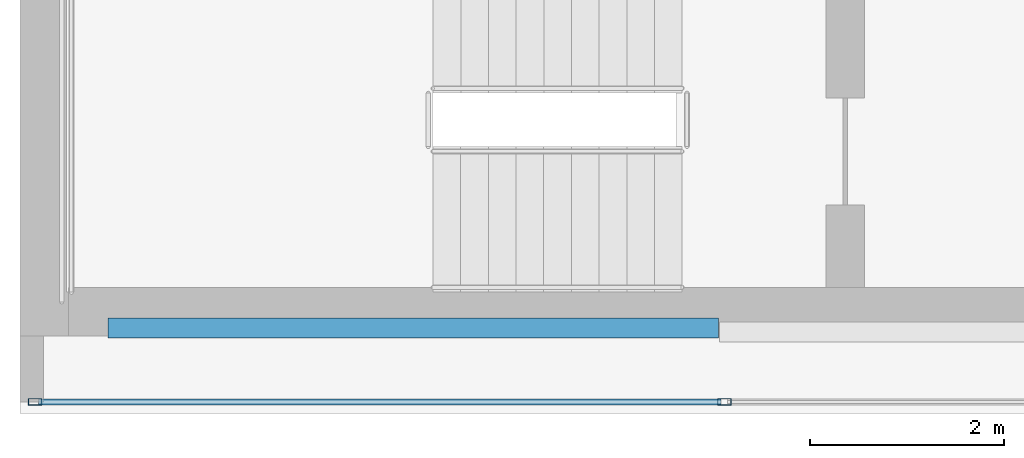
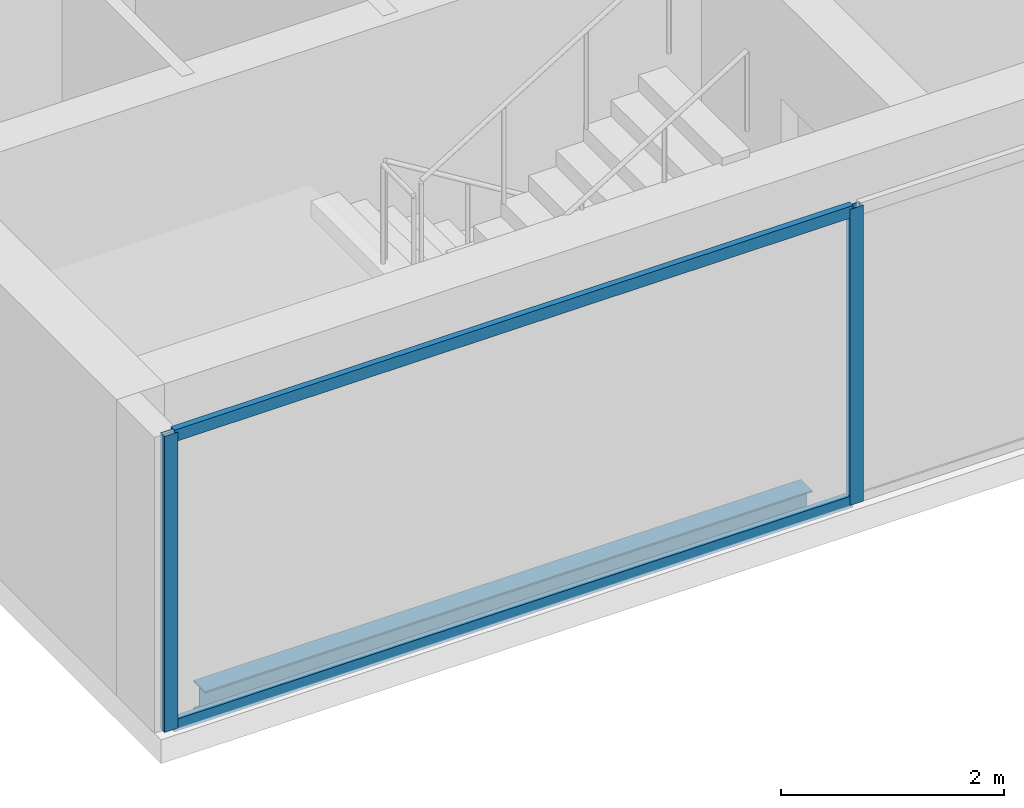
# One storey, part 2 of 23: 4 members, 1 beam, 1 element without a shape of its own.
"""IFC4 building model written with IfcOpenShell, lengths in metres."""

from ifc_helpers import new_model, si_unit, direction, frame, origin, origin_2d, place, context, subcontext, project, spatial, hollow_rectangle, i_section, extrude, material, material_profile, profile_set, type_object, element, aggregate, save


model = new_model("IFC4")

# Units and contexts
model_context = context("Model", 3, precision=1e-05, world=origin(), true_north=direction((0.0, 1.0)))
body_context = subcontext(model_context, "Body", "Model", "MODEL_VIEW")
ifc_project = project(units=[si_unit("LENGTHUNIT", "METRE"), si_unit("AREAUNIT", "SQUARE_METRE"), si_unit("VOLUMEUNIT", "CUBIC_METRE"), si_unit("PLANEANGLEUNIT", "RADIAN"), si_unit("MASSUNIT", "GRAM", prefix="KILO")], contexts=[model_context])

# Site, building, storey
site_placement = place(None, origin())
site = spatial("IfcSite", under=ifc_project, at=site_placement, CompositionType="ELEMENT")
building_placement = place(site_placement, origin())
building = spatial("IfcBuilding", under=site, at=building_placement, Name="Cobrela Telecom Tower", CompositionType="ELEMENT")
storey_placement = place(building_placement, frame((0.0, 0.0, 258.64990234375)))
storey = spatial("IfcBuildingStorey", under=building, at=storey_placement, Name="L67", CompositionType="ELEMENT", Elevation=258.64990234375)

# Beam
ifc_material_1 = material(Name="Steel ASTM A992 Grade 50", Category="steel")
ifc_material_profile_1 = material_profile(ifc_material_1, i_section(OverallWidth=0.205078125, OverallDepth=0.31005859375, WebThickness=0.009521484375, FlangeThickness=0.016357421875, FilletRadius=0.010986328125, at=origin_2d()), Name="W12X50")
ifc_profile_set_1 = profile_set([ifc_material_profile_1], Name="Steel ASTM A992 Grade 50")
beam_type = type_object("IfcBeamType", Name="BM-SPAND-07", PredefinedType="SPANDREL", material=ifc_profile_set_1)
beam_placement = place(storey_placement, frame((0.905029296875, 7.280029296875, -0.414794921875), z_axis=(1.0, 0.0, 0.0), x_axis=(0.0, 1.0, 0.0)))
element("IfcBeam", 1, at=beam_placement, inside=storey, type_object=beam_type, Name="L67 Perimeter Spandrel X01", PredefinedType="SPANDREL", context=body_context, shape_type="SweptSolid", body=[
    extrude(i_section(OverallWidth=0.205078125, OverallDepth=0.31005859375, WebThickness=0.009521484375, FlangeThickness=0.016357421875, FilletRadius=0.010986328125, at=origin_2d()), origin(), (0.0, 0.0, 1.0), 6.2900390625),
])

# Curtain wall, members
ifc_material_2 = material(Name="Anodized Bronze Aluminium 6063-T6", Category="aluminium")
curtain_wall_type = type_object("IfcCurtainWallType", Name="CW-SYS-OFF-HI", PredefinedType="USERDEFINED", material=ifc_material_2)
curtain_wall_placement = place(storey_placement, origin())
curtain_wall = element("IfcCurtainWall", 2, at=curtain_wall_placement, inside=storey, type_object=curtain_wall_type, Name="L67 Unitised Bronze Curtain Wall 15", ObjectType="UNITISED CURTAIN WALL", PredefinedType="USERDEFINED")
ifc_material_profile_2 = material_profile(ifc_material_2, hollow_rectangle(XDim=0.070068359375, YDim=0.139892578125, WallThickness=0.00390625, at=origin_2d()), Name="ALU 70x140x4")
ifc_profile_set_2 = profile_set([ifc_material_profile_2], Name="Anodized Bronze Aluminium 6063-T6")
member_type_1 = type_object("IfcMemberType", Name="CW-SYS-OFF-HI-MUL", PredefinedType="MULLION", material=ifc_profile_set_2)
member_1_placement = place(storey_placement, frame((7.2548828125, 6.52001953125, 0.0), z_axis=(0.0, 0.0, 1.0), x_axis=(0.0, -1.0, 0.0)))
member_1 = element("IfcMember", 3, at=member_1_placement, type_object=member_type_1, Name="CW-OFF-HI mullion 6", PredefinedType="MULLION", context=body_context, shape_type="SweptSolid", body=[
    extrude(hollow_rectangle(XDim=0.070068359375, YDim=0.139892578125, WallThickness=0.00390625, at=origin_2d()), origin(), (0.0, 0.0, 1.0), 3.239990234375),
])
member_2_placement = place(storey_placement, frame((0.155029296875, 6.52001953125, 0.0), z_axis=(0.0, 0.0, 1.0), x_axis=(0.0, -1.0, 0.0)))
member_2 = element("IfcMember", 4, at=member_2_placement, type_object=member_type_1, Name="CW-OFF-HI mullion 7", PredefinedType="MULLION", context=body_context, shape_type="SweptSolid", body=[
    extrude(hollow_rectangle(XDim=0.070068359375, YDim=0.139892578125, WallThickness=0.00390625, at=origin_2d()), origin(), (0.0, 0.0, 1.0), 3.239990234375),
])
ifc_material_profile_3 = material_profile(ifc_material_2, hollow_rectangle(XDim=0.06494140625, YDim=0.1298828125, WallThickness=0.00390625, at=origin_2d()), Name="ALU 65x130x4")
ifc_profile_set_3 = profile_set([ifc_material_profile_3], Name="Anodized Bronze Aluminium 6063-T6")
member_type_2 = type_object("IfcMemberType", Name="CW-SYS-OFF-HI-TRN", PredefinedType="USERDEFINED", material=ifc_profile_set_3)
member_3_placement = place(storey_placement, frame((7.219970703125, 6.52001953125, 0.03271484375), z_axis=(-1.0, 0.0, 0.0), x_axis=(0.0, -1.0, 0.0)))
member_3 = element("IfcMember", 5, at=member_3_placement, type_object=member_type_2, Name="CW-OFF-HI transom 6.1", ObjectType="TRANSOM", PredefinedType="USERDEFINED", context=body_context, shape_type="SweptSolid", body=[
    extrude(hollow_rectangle(XDim=0.06494140625, YDim=0.1298828125, WallThickness=0.00390625, at=origin_2d()), origin(), (0.0, 0.0, 1.0), 7.030029296875),
])
member_4_placement = place(storey_placement, frame((7.219970703125, 6.52001953125, 3.20751953125), z_axis=(-1.0, 0.0, 0.0), x_axis=(0.0, -1.0, 0.0)))
member_4 = element("IfcMember", 6, at=member_4_placement, type_object=member_type_2, Name="CW-OFF-HI transom 6.2", ObjectType="TRANSOM", PredefinedType="USERDEFINED", context=body_context, shape_type="SweptSolid", body=[
    extrude(hollow_rectangle(XDim=0.06494140625, YDim=0.1298828125, WallThickness=0.00390625, at=origin_2d()), origin(), (0.0, 0.0, 1.0), 7.030029296875),
])
aggregate(curtain_wall, [member_1, member_2, member_3, member_4])

save(model, "model.ifc")
